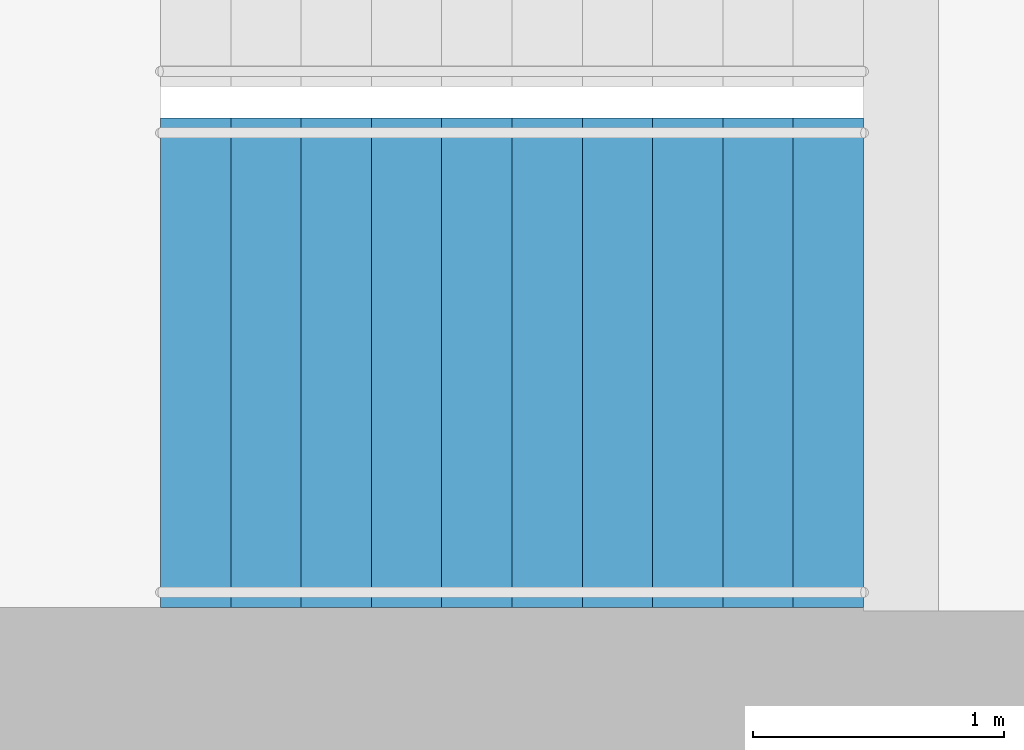
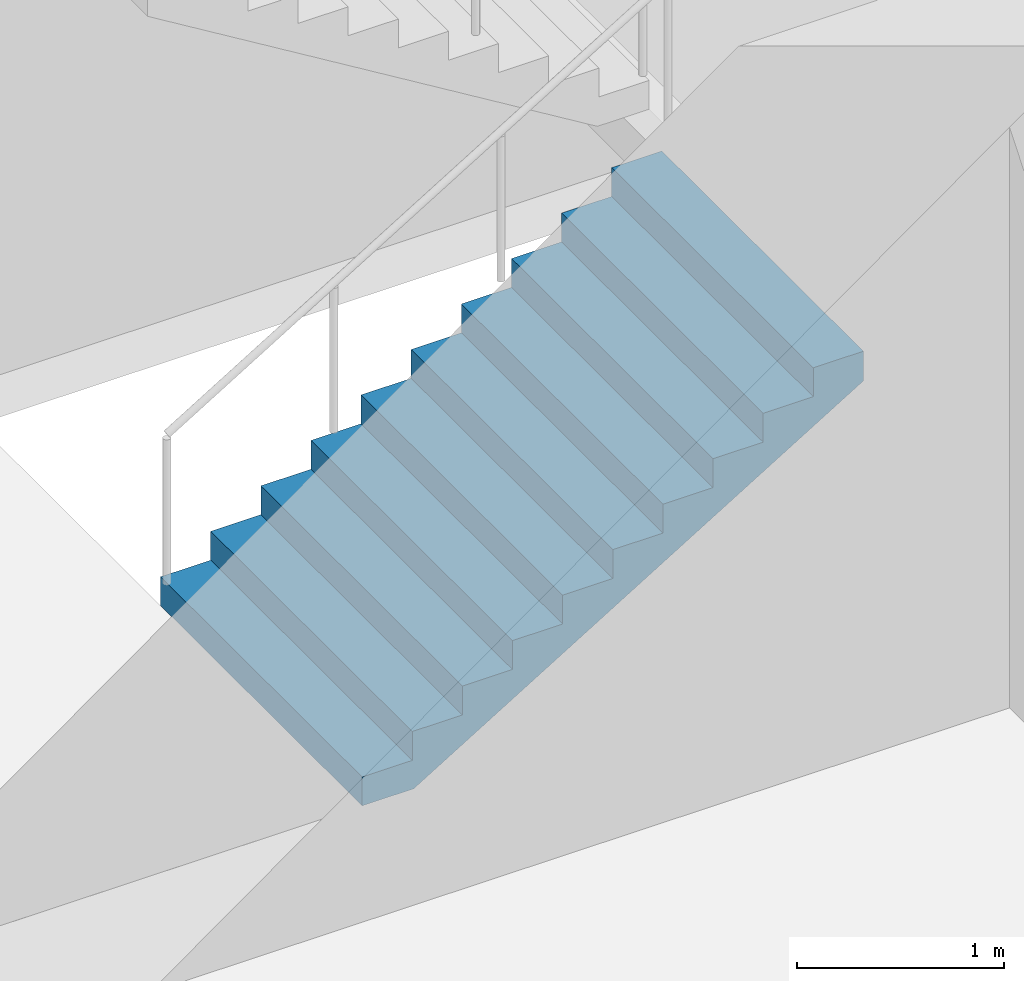
# One storey, part 18 of 22: 1 stair flight, 1 element without a shape of its own.
"""IFC4 building model written with IfcOpenShell, lengths in metres."""

from ifc_helpers import new_model, si_unit, direction, frame, origin, place, context, subcontext, project, spatial, triangles, material, type_object, element, aggregate, save


model = new_model("IFC4")

# Units and contexts
model_context = context("Model", 3, precision=1e-05, world=origin(), true_north=direction((0.0, 1.0)))
body_context = subcontext(model_context, "Body", "Model", "MODEL_VIEW")
ifc_project = project(units=[si_unit("LENGTHUNIT", "METRE"), si_unit("AREAUNIT", "SQUARE_METRE"), si_unit("VOLUMEUNIT", "CUBIC_METRE"), si_unit("PLANEANGLEUNIT", "RADIAN"), si_unit("MASSUNIT", "GRAM", prefix="KILO")], contexts=[model_context])

# Site, building, storey
site_placement = place(None, origin())
site = spatial("IfcSite", under=ifc_project, at=site_placement, CompositionType="ELEMENT")
building_placement = place(site_placement, origin())
building = spatial("IfcBuilding", under=site, at=building_placement, Name="Orbita Commons", CompositionType="ELEMENT")
storey_placement = place(building_placement, frame((0.0, 0.0, 189.85009765625)))
storey = spatial("IfcBuildingStorey", under=building, at=storey_placement, Name="L47", CompositionType="ELEMENT", Elevation=189.85009765625)

# Stair, stair flight
ifc_material_1 = material(Name="Precast concrete C40/50", Category="concrete")
stair_type = type_object("IfcStairType", Name="Exit stair S1 2 flights 11 risers 170", PredefinedType="HALF_TURN_STAIR", material=ifc_material_1)
stair_placement = place(storey_placement, origin())
stair = element("IfcStair", 1, at=stair_placement, inside=storey, type_object=stair_type, Name="Exit stair S1 L47", PredefinedType="HALF_TURN_STAIR")
ifc_material_2 = material(Name="Precast concrete C40/50", Category="concrete")
stair_flight_type = type_object("IfcStairFlightType", Name="Stair flight 11 risers 170 x 280", PredefinedType="STRAIGHT", material=ifc_material_2)
stair_flight_placement = place(storey_placement, frame((20.449951171875, 27.199951171875, 0.0), z_axis=(0.0, 0.0, 1.0), x_axis=(1.0, 0.0, 0.0)))
stair_flight = element("IfcStairFlight", 2, at=stair_flight_placement, type_object=stair_flight_type, Name="S1 flight 1", NumberOfRisers=11, NumberOfTreads=10, PredefinedType="STRAIGHT", RiserHeight=0.170454545, TreadLength=0.28, context=body_context, shape_type="Tessellation", body=[
    triangles([(0.0, 0.974976, 0.0), (0.0, 0.974976, 0.021307), (0.0, 0.81248, 0.021307), (0.0, 0.81248, 0.0), (0.0, 0.649984, 0.021307), (0.0, 0.649984, 0.0), (0.0, 0.487488, 0.021307), (0.0, 0.487488, 0.0), (0.0, 0.324992, 0.021307), (0.0, 0.324992, 0.0), (0.0, 0.162496, 0.021307), (0.0, 0.162496, 0.0), (0.0, 0.0, 0.021307), (0.0, 0.0, 0.0), (0.0, -0.162496, 0.021307), (0.0, -0.162496, 0.0), (0.0, -0.324992, 0.021307), (0.0, -0.324992, 0.0), (0.0, -0.487488, 0.021307), (0.0, -0.487488, 0.0), (0.0, -0.649984, 0.021307), (0.0, -0.649984, 0.0), (0.0, -0.81248, 0.021307), (0.0, -0.81248, 0.0), (0.0, -0.974976, 0.021307), (0.0, -0.974976, 0.0), (0.0, 0.974976, 0.042614), (0.0, 0.81248, 0.042614), (0.0, 0.649984, 0.042614), (0.0, 0.487488, 0.042614), (0.0, 0.324992, 0.042614), (0.0, 0.162496, 0.042614), (0.0, 0.0, 0.042614), (0.0, -0.162496, 0.042614), (0.0, -0.324992, 0.042614), (0.0, -0.487488, 0.042614), (0.0, -0.649984, 0.042614), (0.0, -0.81248, 0.042614), (0.0, -0.974976, 0.042614), (0.0, 0.974976, 0.06392), (0.0, 0.81248, 0.06392), (0.0, 0.649984, 0.06392), (0.0, 0.487488, 0.06392), (0.0, 0.324992, 0.06392), (0.0, 0.162496, 0.06392), (0.0, 0.0, 0.06392), (0.0, -0.162496, 0.06392), (0.0, -0.324992, 0.06392), (0.0, -0.487488, 0.06392), (0.0, -0.649984, 0.06392), (0.0, -0.81248, 0.06392), (0.0, -0.974976, 0.06392), (0.0, 0.974976, 0.085227), (0.0, 0.81248, 0.085227), (0.0, 0.649984, 0.085227), (0.0, 0.487488, 0.085227), (0.0, 0.324992, 0.085227), (0.0, 0.162496, 0.085227), (0.0, 0.0, 0.085227), (0.0, -0.162496, 0.085227), (0.0, -0.324992, 0.085227), (0.0, -0.487488, 0.085227), (0.0, -0.649984, 0.085227), (0.0, -0.81248, 0.085227), (0.0, -0.974976, 0.085227), (0.0, 0.974976, 0.106534), (0.0, 0.81248, 0.106534), (0.0, 0.649984, 0.106534), (0.0, 0.487488, 0.106534), (0.0, 0.324992, 0.106534), (0.0, 0.162496, 0.106534), (0.0, 0.0, 0.106534), (0.0, -0.162496, 0.106534), (0.0, -0.324992, 0.106534), (0.0, -0.487488, 0.106534), (0.0, -0.649984, 0.106534), (0.0, -0.81248, 0.106534), (0.0, -0.974976, 0.106534), (0.0, 0.974976, 0.127841), (0.0, 0.81248, 0.127841), (0.0, 0.649984, 0.127841), (0.0, 0.487488, 0.127841), (0.0, 0.324992, 0.127841), (0.0, 0.162496, 0.127841), (0.0, 0.0, 0.127841), (0.0, -0.162496, 0.127841), (0.0, -0.324992, 0.127841), (0.0, -0.487488, 0.127841), (0.0, -0.649984, 0.127841), (0.0, -0.81248, 0.127841), (0.0, -0.974976, 0.127841), (0.0, 0.974976, 0.149148), (0.0, 0.81248, 0.149148), (0.0, 0.649984, 0.149148), (0.0, 0.487488, 0.149148), (0.0, 0.324992, 0.149148), (0.0, 0.162496, 0.149148), (0.0, 0.0, 0.149148), (0.0, -0.162496, 0.149148), (0.0, -0.324992, 0.149148), (0.0, -0.487488, 0.149148), (0.0, -0.649984, 0.149148), (0.0, -0.81248, 0.149148), (0.0, -0.974976, 0.149148), (0.0, 0.974976, 0.170455), (0.0, 0.81248, 0.170455), (0.0, 0.649984, 0.170455), (0.0, 0.487488, 0.170455), (0.0, 0.324992, 0.170455), (0.0, 0.162496, 0.170455), (0.0, 0.0, 0.170455), (0.0, -0.162496, 0.170455), (0.0, -0.324992, 0.170455), (0.0, -0.487488, 0.170455), (0.0, -0.649984, 0.170455), (0.0, -0.81248, 0.170455), (0.0, -0.974976, 0.170455), (0.28, 0.974976, 0.170455), (0.28, 0.81248, 0.170455), (0.28, 0.649984, 0.170455), (0.28, 0.487488, 0.170455), (0.28, 0.324992, 0.170455), (0.28, 0.162496, 0.170455), (0.28, 0.0, 0.170455), (0.28, -0.162496, 0.170455), (0.28, -0.324992, 0.170455), (0.28, -0.487488, 0.170455), (0.28, -0.649984, 0.170455), (0.28, -0.81248, 0.170455), (0.28, -0.974976, 0.170455), (0.28, 0.974976, 0.340909), (0.28, 0.81248, 0.340909), (0.28, 0.649984, 0.340909), (0.28, 0.487488, 0.340909), (0.28, 0.324992, 0.340909), (0.28, 0.162496, 0.340909), (0.28, 0.0, 0.340909), (0.28, -0.162496, 0.340909), (0.28, -0.324992, 0.340909), (0.28, -0.487488, 0.340909), (0.28, -0.649984, 0.340909), (0.28, -0.81248, 0.340909), (0.28, -0.974976, 0.340909), (0.56, 0.974976, 0.340909), (0.56, 0.81248, 0.340909), (0.56, 0.649984, 0.340909), (0.56, 0.487488, 0.340909), (0.56, 0.324992, 0.340909), (0.56, 0.162496, 0.340909), (0.56, 0.0, 0.340909), (0.56, -0.162496, 0.340909), (0.56, -0.324992, 0.340909), (0.56, -0.487488, 0.340909), (0.56, -0.649984, 0.340909), (0.56, -0.81248, 0.340909), (0.56, -0.974976, 0.340909), (0.56, 0.974976, 0.511364), (0.56, 0.81248, 0.511364), (0.56, 0.649984, 0.511364), (0.56, 0.487488, 0.511364), (0.56, 0.324992, 0.511364), (0.56, 0.162496, 0.511364), (0.56, 0.0, 0.511364), (0.56, -0.162496, 0.511364), (0.56, -0.324992, 0.511364), (0.56, -0.487488, 0.511364), (0.56, -0.649984, 0.511364), (0.56, -0.81248, 0.511364), (0.56, -0.974976, 0.511364), (0.84, 0.974976, 0.511364), (0.84, 0.81248, 0.511364), (0.84, 0.649984, 0.511364), (0.84, 0.487488, 0.511364), (0.84, 0.324992, 0.511364), (0.84, 0.162496, 0.511364), (0.84, 0.0, 0.511364), (0.84, -0.162496, 0.511364), (0.84, -0.324992, 0.511364), (0.84, -0.487488, 0.511364), (0.84, -0.649984, 0.511364), (0.84, -0.81248, 0.511364), (0.84, -0.974976, 0.511364), (0.84, 0.974976, 0.681818), (0.84, 0.81248, 0.681818), (0.84, 0.649984, 0.681818), (0.84, 0.487488, 0.681818), (0.84, 0.324992, 0.681818), (0.84, 0.162496, 0.681818), (0.84, 0.0, 0.681818), (0.84, -0.162496, 0.681818), (0.84, -0.324992, 0.681818), (0.84, -0.487488, 0.681818), (0.84, -0.649984, 0.681818), (0.84, -0.81248, 0.681818), (0.84, -0.974976, 0.681818), (1.12, 0.974976, 0.681818), (1.12, 0.81248, 0.681818), (1.12, 0.649984, 0.681818), (1.12, 0.487488, 0.681818), (1.12, 0.324992, 0.681818), (1.12, 0.162496, 0.681818), (1.12, 0.0, 0.681818), (1.12, -0.162496, 0.681818), (1.12, -0.324992, 0.681818), (1.12, -0.487488, 0.681818), (1.12, -0.649984, 0.681818), (1.12, -0.81248, 0.681818), (1.12, -0.974976, 0.681818), (1.12, 0.974976, 0.852273), (1.12, 0.81248, 0.852273), (1.12, 0.649984, 0.852273), (1.12, 0.487488, 0.852273), (1.12, 0.324992, 0.852273), (1.12, 0.162496, 0.852273), (1.12, 0.0, 0.852273), (1.12, -0.162496, 0.852273), (1.12, -0.324992, 0.852273), (1.12, -0.487488, 0.852273), (1.12, -0.649984, 0.852273), (1.12, -0.81248, 0.852273), (1.12, -0.974976, 0.852273), (1.4, 0.974976, 0.852273), (1.4, 0.81248, 0.852273), (1.4, 0.649984, 0.852273), (1.4, 0.487488, 0.852273), (1.4, 0.324992, 0.852273), (1.4, 0.162496, 0.852273), (1.4, 0.0, 0.852273), (1.4, -0.162496, 0.852273), (1.4, -0.324992, 0.852273), (1.4, -0.487488, 0.852273), (1.4, -0.649984, 0.852273), (1.4, -0.81248, 0.852273), (1.4, -0.974976, 0.852273), (1.4, 0.974976, 1.022727), (1.4, 0.81248, 1.022727), (1.4, 0.649984, 1.022727), (1.4, 0.487488, 1.022727), (1.4, 0.324992, 1.022727), (1.4, 0.162496, 1.022727), (1.4, 0.0, 1.022727), (1.4, -0.162496, 1.022727), (1.4, -0.324992, 1.022727), (1.4, -0.487488, 1.022727), (1.4, -0.649984, 1.022727), (1.4, -0.81248, 1.022727), (1.4, -0.974976, 1.022727), (1.68, 0.974976, 1.022727), (1.68, 0.81248, 1.022727), (1.68, 0.649984, 1.022727), (1.68, 0.487488, 1.022727), (1.68, 0.324992, 1.022727), (1.68, 0.162496, 1.022727), (1.68, 0.0, 1.022727), (1.68, -0.162496, 1.022727), (1.68, -0.324992, 1.022727), (1.68, -0.487488, 1.022727), (1.68, -0.649984, 1.022727), (1.68, -0.81248, 1.022727), (1.68, -0.974976, 1.022727), (1.68, 0.974976, 1.193182), (1.68, 0.81248, 1.193182), (1.68, 0.649984, 1.193182), (1.68, 0.487488, 1.193182), (1.68, 0.324992, 1.193182), (1.68, 0.162496, 1.193182), (1.68, 0.0, 1.193182), (1.68, -0.162496, 1.193182), (1.68, -0.324992, 1.193182), (1.68, -0.487488, 1.193182), (1.68, -0.649984, 1.193182), (1.68, -0.81248, 1.193182), (1.68, -0.974976, 1.193182), (1.96, 0.974976, 1.193182), (1.96, 0.81248, 1.193182), (1.96, 0.649984, 1.193182), (1.96, 0.487488, 1.193182), (1.96, 0.324992, 1.193182), (1.96, 0.162496, 1.193182), (1.96, 0.0, 1.193182), (1.96, -0.162496, 1.193182), (1.96, -0.324992, 1.193182), (1.96, -0.487488, 1.193182), (1.96, -0.649984, 1.193182), (1.96, -0.81248, 1.193182), (1.96, -0.974976, 1.193182), (1.96, 0.974976, 1.363636), (1.96, 0.81248, 1.363636), (1.96, 0.649984, 1.363636), (1.96, 0.487488, 1.363636), (1.96, 0.324992, 1.363636), (1.96, 0.162496, 1.363636), (1.96, 0.0, 1.363636), (1.96, -0.162496, 1.363636), (1.96, -0.324992, 1.363636), (1.96, -0.487488, 1.363636), (1.96, -0.649984, 1.363636), (1.96, -0.81248, 1.363636), (1.96, -0.974976, 1.363636), (2.24, 0.974976, 1.363636), (2.24, 0.81248, 1.363636), (2.24, 0.649984, 1.363636), (2.24, 0.487488, 1.363636), (2.24, 0.324992, 1.363636), (2.24, 0.162496, 1.363636), (2.24, 0.0, 1.363636), (2.24, -0.162496, 1.363636), (2.24, -0.324992, 1.363636), (2.24, -0.487488, 1.363636), (2.24, -0.649984, 1.363636), (2.24, -0.81248, 1.363636), (2.24, -0.974976, 1.363636), (2.24, 0.974976, 1.534091), (2.24, 0.81248, 1.534091), (2.24, 0.649984, 1.534091), (2.24, 0.487488, 1.534091), (2.24, 0.324992, 1.534091), (2.24, 0.162496, 1.534091), (2.24, 0.0, 1.534091), (2.24, -0.162496, 1.534091), (2.24, -0.324992, 1.534091), (2.24, -0.487488, 1.534091), (2.24, -0.649984, 1.534091), (2.24, -0.81248, 1.534091), (2.24, -0.974976, 1.534091), (2.52, 0.974976, 1.534091), (2.52, 0.81248, 1.534091), (2.52, 0.649984, 1.534091), (2.52, 0.487488, 1.534091), (2.52, 0.324992, 1.534091), (2.52, 0.162496, 1.534091), (2.52, 0.0, 1.534091), (2.52, -0.162496, 1.534091), (2.52, -0.324992, 1.534091), (2.52, -0.487488, 1.534091), (2.52, -0.649984, 1.534091), (2.52, -0.81248, 1.534091), (2.52, -0.974976, 1.534091), (2.52, 0.974976, 1.704545), (2.52, 0.81248, 1.704545), (2.52, 0.649984, 1.704545), (2.52, 0.487488, 1.704545), (2.52, 0.324992, 1.704545), (2.52, 0.162496, 1.704545), (2.52, 0.0, 1.704545), (2.52, -0.162496, 1.704545), (2.52, -0.324992, 1.704545), (2.52, -0.487488, 1.704545), (2.52, -0.649984, 1.704545), (2.52, -0.81248, 1.704545), (2.52, -0.974976, 1.704545), (2.8, 0.974976, 1.704545), (2.8, 0.81248, 1.704545), (2.8, 0.649984, 1.704545), (2.8, 0.487488, 1.704545), (2.8, 0.324992, 1.704545), (2.8, 0.162496, 1.704545), (2.8, 0.0, 1.704545), (2.8, -0.162496, 1.704545), (2.8, -0.324992, 1.704545), (2.8, -0.487488, 1.704545), (2.8, -0.649984, 1.704545), (2.8, -0.81248, 1.704545), (2.8, -0.974976, 1.704545), (2.8, 0.974976, 1.682609), (2.8, 0.81248, 1.682609), (2.8, 0.649984, 1.682609), (2.8, 0.487488, 1.682609), (2.8, 0.324992, 1.682609), (2.8, 0.162496, 1.682609), (2.8, 0.0, 1.682609), (2.8, -0.162496, 1.682609), (2.8, -0.324992, 1.682609), (2.8, -0.487488, 1.682609), (2.8, -0.649984, 1.682609), (2.8, -0.81248, 1.682609), (2.8, -0.974976, 1.682609), (2.8, 0.974976, 1.660672), (2.8, 0.81248, 1.660672), (2.8, 0.649984, 1.660672), (2.8, 0.487488, 1.660672), (2.8, 0.324992, 1.660672), (2.8, 0.162496, 1.660672), (2.8, 0.0, 1.660672), (2.8, -0.162496, 1.660672), (2.8, -0.324992, 1.660672), (2.8, -0.487488, 1.660672), (2.8, -0.649984, 1.660672), (2.8, -0.81248, 1.660672), (2.8, -0.974976, 1.660672), (2.8, 0.974976, 1.638735), (2.8, 0.81248, 1.638735), (2.8, 0.649984, 1.638735), (2.8, 0.487488, 1.638735), (2.8, 0.324992, 1.638735), (2.8, 0.162496, 1.638735), (2.8, 0.0, 1.638735), (2.8, -0.162496, 1.638735), (2.8, -0.324992, 1.638735), (2.8, -0.487488, 1.638735), (2.8, -0.649984, 1.638735), (2.8, -0.81248, 1.638735), (2.8, -0.974976, 1.638735), (2.8, 0.974976, 1.616798), (2.8, 0.81248, 1.616798), (2.8, 0.649984, 1.616798), (2.8, 0.487488, 1.616798), (2.8, 0.324992, 1.616798), (2.8, 0.162496, 1.616798), (2.8, 0.0, 1.616798), (2.8, -0.162496, 1.616798), (2.8, -0.324992, 1.616798), (2.8, -0.487488, 1.616798), (2.8, -0.649984, 1.616798), (2.8, -0.81248, 1.616798), (2.8, -0.974976, 1.616798), (2.8, 0.974976, 1.594861), (2.8, 0.81248, 1.594861), (2.8, 0.649984, 1.594861), (2.8, 0.487488, 1.594861), (2.8, 0.324992, 1.594861), (2.8, 0.162496, 1.594861), (2.8, 0.0, 1.594861), (2.8, -0.162496, 1.594861), (2.8, -0.324992, 1.594861), (2.8, -0.487488, 1.594861), (2.8, -0.649984, 1.594861), (2.8, -0.81248, 1.594861), (2.8, -0.974976, 1.594861), (2.8, 0.974976, 1.572925), (2.8, 0.81248, 1.572925), (2.8, 0.649984, 1.572925), (2.8, 0.487488, 1.572925), (2.8, 0.324992, 1.572925), (2.8, 0.162496, 1.572925), (2.8, 0.0, 1.572925), (2.8, -0.162496, 1.572925), (2.8, -0.324992, 1.572925), (2.8, -0.487488, 1.572925), (2.8, -0.649984, 1.572925), (2.8, -0.81248, 1.572925), (2.8, -0.974976, 1.572925), (2.8, 0.974976, 1.550988), (2.8, 0.81248, 1.550988), (2.8, 0.649984, 1.550988), (2.8, 0.487488, 1.550988), (2.8, 0.324992, 1.550988), (2.8, 0.162496, 1.550988), (2.8, 0.0, 1.550988), (2.8, -0.162496, 1.550988), (2.8, -0.324992, 1.550988), (2.8, -0.487488, 1.550988), (2.8, -0.649984, 1.550988), (2.8, -0.81248, 1.550988), (2.8, -0.974976, 1.550988), (2.8, 0.974976, 1.529051), (2.8, 0.81248, 1.529051), (2.8, 0.649984, 1.529051), (2.8, 0.487488, 1.529051), (2.8, 0.324992, 1.529051), (2.8, 0.162496, 1.529051), (2.8, 0.0, 1.529051), (2.8, -0.162496, 1.529051), (2.8, -0.324992, 1.529051), (2.8, -0.487488, 1.529051), (2.8, -0.649984, 1.529051), (2.8, -0.81248, 1.529051), (2.8, -0.974976, 1.529051), (0.288279, 0.974976, 0.0), (0.288279, 0.81248, 0.0), (0.288279, 0.649984, 0.0), (0.288279, 0.487488, 0.0), (0.288279, 0.324992, 0.0), (0.288279, 0.162496, 0.0), (0.288279, 0.0, 0.0), (0.288279, -0.162496, 0.0), (0.288279, -0.324992, 0.0), (0.288279, -0.487488, 0.0), (0.288279, -0.649984, 0.0), (0.288279, -0.81248, 0.0), (0.288279, -0.974976, 0.0)], [[3, 2, 1], [4, 3, 1], [5, 3, 4], [6, 5, 4], [7, 5, 6], [8, 7, 6], [9, 7, 8], [10, 9, 8], [11, 9, 10], [12, 11, 10], [13, 11, 12], [14, 13, 12], [15, 13, 14], [16, 15, 14], [17, 15, 16], [18, 17, 16], [19, 17, 18], [20, 19, 18], [21, 19, 20], [22, 21, 20], [23, 21, 22], [24, 23, 22], [25, 23, 24], [26, 25, 24], [28, 27, 2], [3, 28, 2], [29, 28, 3], [5, 29, 3], [30, 29, 5], [7, 30, 5], [31, 30, 7], [9, 31, 7], [32, 31, 9], [11, 32, 9], [33, 32, 11], [13, 33, 11], [34, 33, 13], [15, 34, 13], [35, 34, 15], [17, 35, 15], [36, 35, 17], [19, 36, 17], [37, 36, 19], [21, 37, 19], [38, 37, 21], [23, 38, 21], [39, 38, 23], [25, 39, 23], [41, 40, 27], [28, 41, 27], [42, 41, 28], [29, 42, 28], [43, 42, 29], [30, 43, 29], [44, 43, 30], [31, 44, 30], [45, 44, 31], [32, 45, 31], [46, 45, 32], [33, 46, 32], [47, 46, 33], [34, 47, 33], [48, 47, 34], [35, 48, 34], [49, 48, 35], [36, 49, 35], [50, 49, 36], [37, 50, 36], [51, 50, 37], [38, 51, 37], [52, 51, 38], [39, 52, 38], [54, 53, 40], [41, 54, 40], [55, 54, 41], [42, 55, 41], [56, 55, 42], [43, 56, 42], [57, 56, 43], [44, 57, 43], [58, 57, 44], [45, 58, 44], [59, 58, 45], [46, 59, 45], [60, 59, 46], [47, 60, 46], [61, 60, 47], [48, 61, 47], [62, 61, 48], [49, 62, 48], [63, 62, 49], [50, 63, 49], [64, 63, 50], [51, 64, 50], [65, 64, 51], [52, 65, 51], [67, 66, 53], [54, 67, 53], [68, 67, 54], [55, 68, 54], [69, 68, 55], [56, 69, 55], [70, 69, 56], [57, 70, 56], [71, 70, 57], [58, 71, 57], [72, 71, 58], [59, 72, 58], [73, 72, 59], [60, 73, 59], [74, 73, 60], [61, 74, 60], [75, 74, 61], [62, 75, 61], [76, 75, 62], [63, 76, 62], [77, 76, 63], [64, 77, 63], [78, 77, 64], [65, 78, 64], [80, 79, 66], [67, 80, 66], [81, 80, 67], [68, 81, 67], [82, 81, 68], [69, 82, 68], [83, 82, 69], [70, 83, 69], [84, 83, 70], [71, 84, 70], [85, 84, 71], [72, 85, 71], [86, 85, 72], [73, 86, 72], [87, 86, 73], [74, 87, 73], [88, 87, 74], [75, 88, 74], [89, 88, 75], [76, 89, 75], [90, 89, 76], [77, 90, 76], [91, 90, 77], [78, 91, 77], [93, 92, 79], [80, 93, 79], [94, 93, 80], [81, 94, 80], [95, 94, 81], [82, 95, 81], [96, 95, 82], [83, 96, 82], [97, 96, 83], [84, 97, 83], [98, 97, 84], [85, 98, 84], [99, 98, 85], [86, 99, 85], [100, 99, 86], [87, 100, 86], [101, 100, 87], [88, 101, 87], [102, 101, 88], [89, 102, 88], [103, 102, 89], [90, 103, 89], [104, 103, 90], [91, 104, 90], [106, 105, 92], [93, 106, 92], [107, 106, 93], [94, 107, 93], [108, 107, 94], [95, 108, 94], [109, 108, 95], [96, 109, 95], [110, 109, 96], [97, 110, 96], [111, 110, 97], [98, 111, 97], [112, 111, 98], [99, 112, 98], [113, 112, 99], [100, 113, 99], [114, 113, 100], [101, 114, 100], [115, 114, 101], [102, 115, 101], [116, 115, 102], [103, 116, 102], [117, 116, 103], [104, 117, 103], [119, 118, 105], [106, 119, 105], [120, 119, 106], [107, 120, 106], [121, 120, 107], [108, 121, 107], [122, 121, 108], [109, 122, 108], [123, 122, 109], [110, 123, 109], [124, 123, 110], [111, 124, 110], [125, 124, 111], [112, 125, 111], [126, 125, 112], [113, 126, 112], [127, 126, 113], [114, 127, 113], [128, 127, 114], [115, 128, 114], [129, 128, 115], [116, 129, 115], [130, 129, 116], [117, 130, 116], [132, 131, 118], [119, 132, 118], [133, 132, 119], [120, 133, 119], [134, 133, 120], [121, 134, 120], [135, 134, 121], [122, 135, 121], [136, 135, 122], [123, 136, 122], [137, 136, 123], [124, 137, 123], [138, 137, 124], [125, 138, 124], [139, 138, 125], [126, 139, 125], [140, 139, 126], [127, 140, 126], [141, 140, 127], [128, 141, 127], [142, 141, 128], [129, 142, 128], [143, 142, 129], [130, 143, 129], [145, 144, 131], [132, 145, 131], [146, 145, 132], [133, 146, 132], [147, 146, 133], [134, 147, 133], [148, 147, 134], [135, 148, 134], [149, 148, 135], [136, 149, 135], [150, 149, 136], [137, 150, 136], [151, 150, 137], [138, 151, 137], [152, 151, 138], [139, 152, 138], [153, 152, 139], [140, 153, 139], [154, 153, 140], [141, 154, 140], [155, 154, 141], [142, 155, 141], [156, 155, 142], [143, 156, 142], [158, 157, 144], [145, 158, 144], [159, 158, 145], [146, 159, 145], [160, 159, 146], [147, 160, 146], [161, 160, 147], [148, 161, 147], [162, 161, 148], [149, 162, 148], [163, 162, 149], [150, 163, 149], [164, 163, 150], [151, 164, 150], [165, 164, 151], [152, 165, 151], [166, 165, 152], [153, 166, 152], [167, 166, 153], [154, 167, 153], [168, 167, 154], [155, 168, 154], [169, 168, 155], [156, 169, 155], [171, 170, 157], [158, 171, 157], [172, 171, 158], [159, 172, 158], [173, 172, 159], [160, 173, 159], [174, 173, 160], [161, 174, 160], [175, 174, 161], [162, 175, 161], [176, 175, 162], [163, 176, 162], [177, 176, 163], [164, 177, 163], [178, 177, 164], [165, 178, 164], [179, 178, 165], [166, 179, 165], [180, 179, 166], [167, 180, 166], [181, 180, 167], [168, 181, 167], [182, 181, 168], [169, 182, 168], [184, 183, 170], [171, 184, 170], [185, 184, 171], [172, 185, 171], [186, 185, 172], [173, 186, 172], [187, 186, 173], [174, 187, 173], [188, 187, 174], [175, 188, 174], [189, 188, 175], [176, 189, 175], [190, 189, 176], [177, 190, 176], [191, 190, 177], [178, 191, 177], [192, 191, 178], [179, 192, 178], [193, 192, 179], [180, 193, 179], [194, 193, 180], [181, 194, 180], [195, 194, 181], [182, 195, 181], [197, 196, 183], [184, 197, 183], [198, 197, 184], [185, 198, 184], [199, 198, 185], [186, 199, 185], [200, 199, 186], [187, 200, 186], [201, 200, 187], [188, 201, 187], [202, 201, 188], [189, 202, 188], [203, 202, 189], [190, 203, 189], [204, 203, 190], [191, 204, 190], [205, 204, 191], [192, 205, 191], [206, 205, 192], [193, 206, 192], [207, 206, 193], [194, 207, 193], [208, 207, 194], [195, 208, 194], [210, 209, 196], [197, 210, 196], [211, 210, 197], [198, 211, 197], [212, 211, 198], [199, 212, 198], [213, 212, 199], [200, 213, 199], [214, 213, 200], [201, 214, 200], [215, 214, 201], [202, 215, 201], [216, 215, 202], [203, 216, 202], [217, 216, 203], [204, 217, 203], [218, 217, 204], [205, 218, 204], [219, 218, 205], [206, 219, 205], [220, 219, 206], [207, 220, 206], [221, 220, 207], [208, 221, 207], [223, 222, 209], [210, 223, 209], [224, 223, 210], [211, 224, 210], [225, 224, 211], [212, 225, 211], [226, 225, 212], [213, 226, 212], [227, 226, 213], [214, 227, 213], [228, 227, 214], [215, 228, 214], [229, 228, 215], [216, 229, 215], [230, 229, 216], [217, 230, 216], [231, 230, 217], [218, 231, 217], [232, 231, 218], [219, 232, 218], [233, 232, 219], [220, 233, 219], [234, 233, 220], [221, 234, 220], [236, 235, 222], [223, 236, 222], [237, 236, 223], [224, 237, 223], [238, 237, 224], [225, 238, 224], [239, 238, 225], [226, 239, 225], [240, 239, 226], [227, 240, 226], [241, 240, 227], [228, 241, 227], [242, 241, 228], [229, 242, 228], [243, 242, 229], [230, 243, 229], [244, 243, 230], [231, 244, 230], [245, 244, 231], [232, 245, 231], [246, 245, 232], [233, 246, 232], [247, 246, 233], [234, 247, 233], [249, 248, 235], [236, 249, 235], [250, 249, 236], [237, 250, 236], [251, 250, 237], [238, 251, 237], [252, 251, 238], [239, 252, 238], [253, 252, 239], [240, 253, 239], [254, 253, 240], [241, 254, 240], [255, 254, 241], [242, 255, 241], [256, 255, 242], [243, 256, 242], [257, 256, 243], [244, 257, 243], [258, 257, 244], [245, 258, 244], [259, 258, 245], [246, 259, 245], [260, 259, 246], [247, 260, 246], [262, 261, 248], [249, 262, 248], [263, 262, 249], [250, 263, 249], [264, 263, 250], [251, 264, 250], [265, 264, 251], [252, 265, 251], [266, 265, 252], [253, 266, 252], [267, 266, 253], [254, 267, 253], [268, 267, 254], [255, 268, 254], [269, 268, 255], [256, 269, 255], [270, 269, 256], [257, 270, 256], [271, 270, 257], [258, 271, 257], [272, 271, 258], [259, 272, 258], [273, 272, 259], [260, 273, 259], [275, 274, 261], [262, 275, 261], [276, 275, 262], [263, 276, 262], [277, 276, 263], [264, 277, 263], [278, 277, 264], [265, 278, 264], [279, 278, 265], [266, 279, 265], [280, 279, 266], [267, 280, 266], [281, 280, 267], [268, 281, 267], [282, 281, 268], [269, 282, 268], [283, 282, 269], [270, 283, 269], [284, 283, 270], [271, 284, 270], [285, 284, 271], [272, 285, 271], [286, 285, 272], [273, 286, 272], [288, 287, 274], [275, 288, 274], [289, 288, 275], [276, 289, 275], [290, 289, 276], [277, 290, 276], [291, 290, 277], [278, 291, 277], [292, 291, 278], [279, 292, 278], [293, 292, 279], [280, 293, 279], [294, 293, 280], [281, 294, 280], [295, 294, 281], [282, 295, 281], [296, 295, 282], [283, 296, 282], [297, 296, 283], [284, 297, 283], [298, 297, 284], [285, 298, 284], [299, 298, 285], [286, 299, 285], [301, 300, 287], [288, 301, 287], [302, 301, 288], [289, 302, 288], [303, 302, 289], [290, 303, 289], [304, 303, 290], [291, 304, 290], [305, 304, 291], [292, 305, 291], [306, 305, 292], [293, 306, 292], [307, 306, 293], [294, 307, 293], [308, 307, 294], [295, 308, 294], [309, 308, 295], [296, 309, 295], [310, 309, 296], [297, 310, 296], [311, 310, 297], [298, 311, 297], [312, 311, 298], [299, 312, 298], [314, 313, 300], [301, 314, 300], [315, 314, 301], [302, 315, 301], [316, 315, 302], [303, 316, 302], [317, 316, 303], [304, 317, 303], [318, 317, 304], [305, 318, 304], [319, 318, 305], [306, 319, 305], [320, 319, 306], [307, 320, 306], [321, 320, 307], [308, 321, 307], [322, 321, 308], [309, 322, 308], [323, 322, 309], [310, 323, 309], [324, 323, 310], [311, 324, 310], [325, 324, 311], [312, 325, 311], [327, 326, 313], [314, 327, 313], [328, 327, 314], [315, 328, 314], [329, 328, 315], [316, 329, 315], [330, 329, 316], [317, 330, 316], [331, 330, 317], [318, 331, 317], [332, 331, 318], [319, 332, 318], [333, 332, 319], [320, 333, 319], [334, 333, 320], [321, 334, 320], [335, 334, 321], [322, 335, 321], [336, 335, 322], [323, 336, 322], [337, 336, 323], [324, 337, 323], [338, 337, 324], [325, 338, 324], [340, 339, 326], [327, 340, 326], [341, 340, 327], [328, 341, 327], [342, 341, 328], [329, 342, 328], [343, 342, 329], [330, 343, 329], [344, 343, 330], [331, 344, 330], [345, 344, 331], [332, 345, 331], [346, 345, 332], [333, 346, 332], [347, 346, 333], [334, 347, 333], [348, 347, 334], [335, 348, 334], [349, 348, 335], [336, 349, 335], [350, 349, 336], [337, 350, 336], [351, 350, 337], [338, 351, 337], [353, 352, 339], [340, 353, 339], [354, 353, 340], [341, 354, 340], [355, 354, 341], [342, 355, 341], [356, 355, 342], [343, 356, 342], [357, 356, 343], [344, 357, 343], [358, 357, 344], [345, 358, 344], [359, 358, 345], [346, 359, 345], [360, 359, 346], [347, 360, 346], [361, 360, 347], [348, 361, 347], [362, 361, 348], [349, 362, 348], [363, 362, 349], [350, 363, 349], [364, 363, 350], [351, 364, 350], [366, 365, 352], [353, 366, 352], [367, 366, 353], [354, 367, 353], [368, 367, 354], [355, 368, 354], [369, 368, 355], [356, 369, 355], [370, 369, 356], [357, 370, 356], [371, 370, 357], [358, 371, 357], [372, 371, 358], [359, 372, 358], [373, 372, 359], [360, 373, 359], [374, 373, 360], [361, 374, 360], [375, 374, 361], [362, 375, 361], [376, 375, 362], [363, 376, 362], [377, 376, 363], [364, 377, 363], [379, 378, 365], [366, 379, 365], [380, 379, 366], [367, 380, 366], [381, 380, 367], [368, 381, 367], [382, 381, 368], [369, 382, 368], [383, 382, 369], [370, 383, 369], [384, 383, 370], [371, 384, 370], [385, 384, 371], [372, 385, 371], [386, 385, 372], [373, 386, 372], [387, 386, 373], [374, 387, 373], [388, 387, 374], [375, 388, 374], [389, 388, 375], [376, 389, 375], [390, 389, 376], [377, 390, 376], [392, 391, 378], [379, 392, 378], [393, 392, 379], [380, 393, 379], [394, 393, 380], [381, 394, 380], [395, 394, 381], [382, 395, 381], [396, 395, 382], [383, 396, 382], [397, 396, 383], [384, 397, 383], [398, 397, 384], [385, 398, 384], [399, 398, 385], [386, 399, 385], [400, 399, 386], [387, 400, 386], [401, 400, 387], [388, 401, 387], [402, 401, 388], [389, 402, 388], [403, 402, 389], [390, 403, 389], [405, 404, 391], [392, 405, 391], [406, 405, 392], [393, 406, 392], [407, 406, 393], [394, 407, 393], [408, 407, 394], [395, 408, 394], [409, 408, 395], [396, 409, 395], [410, 409, 396], [397, 410, 396], [411, 410, 397], [398, 411, 397], [412, 411, 398], [399, 412, 398], [413, 412, 399], [400, 413, 399], [414, 413, 400], [401, 414, 400], [415, 414, 401], [402, 415, 401], [416, 415, 402], [403, 416, 402], [418, 417, 404], [405, 418, 404], [419, 418, 405], [406, 419, 405], [420, 419, 406], [407, 420, 406], [421, 420, 407], [408, 421, 407], [422, 421, 408], [409, 422, 408], [423, 422, 409], [410, 423, 409], [424, 423, 410], [411, 424, 410], [425, 424, 411], [412, 425, 411], [426, 425, 412], [413, 426, 412], [427, 426, 413], [414, 427, 413], [428, 427, 414], [415, 428, 414], [429, 428, 415], [416, 429, 415], [431, 430, 417], [418, 431, 417], [432, 431, 418], [419, 432, 418], [433, 432, 419], [420, 433, 419], [434, 433, 420], [421, 434, 420], [435, 434, 421], [422, 435, 421], [436, 435, 422], [423, 436, 422], [437, 436, 423], [424, 437, 423], [438, 437, 424], [425, 438, 424], [439, 438, 425], [426, 439, 425], [440, 439, 426], [427, 440, 426], [441, 440, 427], [428, 441, 427], [442, 441, 428], [429, 442, 428], [444, 443, 430], [431, 444, 430], [445, 444, 431], [432, 445, 431], [446, 445, 432], [433, 446, 432], [447, 446, 433], [434, 447, 433], [448, 447, 434], [435, 448, 434], [449, 448, 435], [436, 449, 435], [450, 449, 436], [437, 450, 436], [451, 450, 437], [438, 451, 437], [452, 451, 438], [439, 452, 438], [453, 452, 439], [440, 453, 439], [454, 453, 440], [441, 454, 440], [455, 454, 441], [442, 455, 441], [457, 456, 443], [444, 457, 443], [458, 457, 444], [445, 458, 444], [459, 458, 445], [446, 459, 445], [460, 459, 446], [447, 460, 446], [461, 460, 447], [448, 461, 447], [462, 461, 448], [449, 462, 448], [463, 462, 449], [450, 463, 449], [464, 463, 450], [451, 464, 450], [465, 464, 451], [452, 465, 451], [466, 465, 452], [453, 466, 452], [467, 466, 453], [454, 467, 453], [468, 467, 454], [455, 468, 454], [470, 469, 456], [457, 470, 456], [471, 470, 457], [458, 471, 457], [472, 471, 458], [459, 472, 458], [473, 472, 459], [460, 473, 459], [474, 473, 460], [461, 474, 460], [475, 474, 461], [462, 475, 461], [476, 475, 462], [463, 476, 462], [477, 476, 463], [464, 477, 463], [478, 477, 464], [465, 478, 464], [479, 478, 465], [466, 479, 465], [480, 479, 466], [467, 480, 466], [481, 480, 467], [468, 481, 467], [4, 1, 469], [470, 4, 469], [6, 4, 470], [471, 6, 470], [8, 6, 471], [472, 8, 471], [10, 8, 472], [473, 10, 472], [12, 10, 473], [474, 12, 473], [14, 12, 474], [475, 14, 474], [16, 14, 475], [476, 16, 475], [18, 16, 476], [477, 18, 476], [20, 18, 477], [478, 20, 477], [22, 20, 478], [479, 22, 478], [24, 22, 479], [480, 24, 479], [26, 24, 480], [481, 26, 480], [456, 469, 1], [26, 481, 468], [443, 456, 1], [26, 468, 455], [430, 443, 1], [26, 455, 442], [417, 430, 1], [26, 442, 429], [404, 417, 1], [26, 429, 416], [391, 404, 1], [26, 416, 403], [378, 391, 1], [26, 403, 390], [365, 378, 1], [26, 390, 377], [339, 352, 365], [377, 364, 351], [326, 339, 365], [377, 351, 338], [300, 313, 326], [338, 325, 312], [300, 326, 365], [377, 338, 312], [274, 287, 300], [312, 299, 286], [274, 300, 365], [377, 312, 286], [248, 261, 274], [286, 273, 260], [248, 274, 365], [377, 286, 260], [222, 235, 248], [260, 247, 234], [222, 248, 365], [377, 260, 234], [196, 209, 222], [234, 221, 208], [196, 222, 365], [377, 234, 208], [170, 183, 196], [208, 195, 182], [170, 196, 365], [377, 208, 182], [144, 157, 170], [182, 169, 156], [144, 170, 365], [377, 182, 156], [118, 131, 144], [156, 143, 130], [118, 144, 365], [377, 156, 130], [118, 365, 1], [26, 377, 130], [92, 105, 118], [130, 117, 104], [79, 92, 118], [130, 104, 91], [66, 79, 118], [130, 91, 78], [53, 66, 118], [130, 78, 65], [40, 53, 118], [130, 65, 52], [27, 40, 118], [130, 52, 39], [2, 27, 118], [130, 39, 25], [1, 2, 118], [130, 25, 26]], closed=True),
])
aggregate(stair, [stair_flight])

save(model, "model.ifc")
